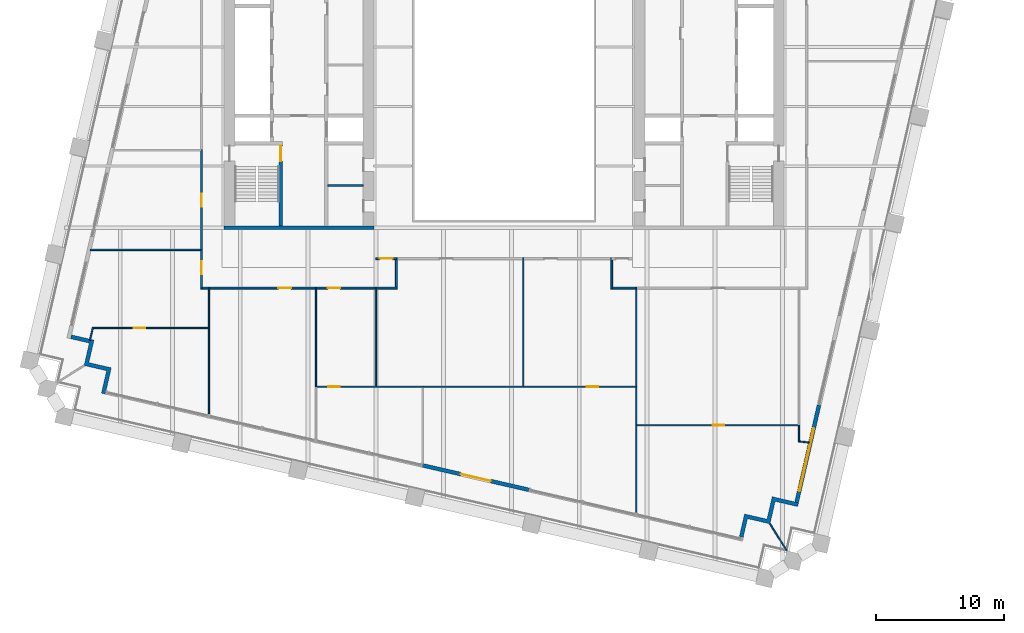
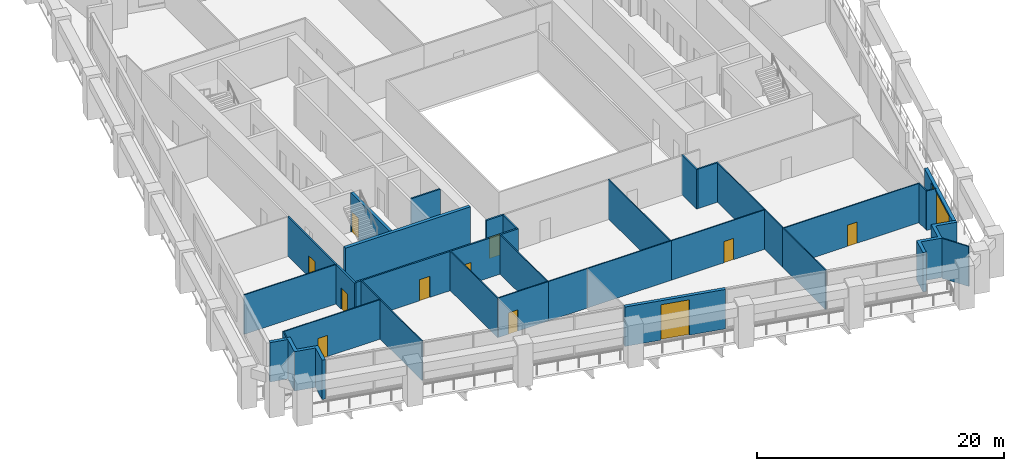
# One storey, part 6 of 12: 36 walls, 11 doors, 1 window, 12 openings.
"""IFC4 building model written with IfcOpenShell, lengths in metres."""

from ifc_helpers import new_model, si_unit, direction, frame, frame_2d, origin, place, context, subcontext, project, spatial, polyline, rectangle, outline, extrude, material, layer, layer_set, type_object, element, fill, save


model = new_model("IFC4")

# Units and contexts
model_context = context("Model", 3, precision=1e-05, world=origin(), true_north=direction((0.0, 1.0)))
body_context = subcontext(model_context, "Body", "Model", "MODEL_VIEW")
ifc_project = project(units=[si_unit("LENGTHUNIT", "METRE"), si_unit("AREAUNIT", "SQUARE_METRE"), si_unit("VOLUMEUNIT", "CUBIC_METRE"), si_unit("PLANEANGLEUNIT", "RADIAN"), si_unit("MASSUNIT", "GRAM", prefix="KILO")], contexts=[model_context])

# Site, building, storey
site_placement = place(None, origin())
site = spatial("IfcSite", under=ifc_project, at=site_placement, CompositionType="ELEMENT")
building_placement = place(site_placement, origin())
building = spatial("IfcBuilding", under=site, at=building_placement, Name="Ogive Exchange Tower", CompositionType="ELEMENT")
storey_placement = place(building_placement, frame((0.0, 0.0, 156.0)))
storey = spatial("IfcBuildingStorey", under=building, at=storey_placement, Name="L34", CompositionType="ELEMENT", Elevation=156.0)

# Wall
ifc_material_1 = material(Name="Gypsum board partition")
ifc_layer_1 = layer(ifc_material_1, 0.14990234375)
ifc_layer_set_1 = layer_set([ifc_layer_1], Name="Core room partition 150 gypsum")
wall_type_1 = type_object("IfcWallType", Name="Core room partition 150 gypsum", PredefinedType="PARTITIONING", material=ifc_layer_set_1)
wall_1_placement = place(storey_placement, frame((-13.75, 0.699951171875, 0.0), z_axis=(0.0, 0.0, 1.0), x_axis=(1.0, 0.0, 0.0)))
element("IfcWall", 1, at=wall_1_placement, inside=storey, type_object=wall_type_1, Name="W south room partition", PredefinedType="PARTITIONING", context=body_context, shape_type="SweptSolid", body=[
    extrude(rectangle(XDim=2.75, YDim=0.14990234375, at=frame_2d((1.375, 0.0))), origin(), (0.0, 0.0, 1.0), 3.89990234375),
])

# Wall, opening, door
ifc_material_2 = material(Name="Fire partition EI 60 150")
ifc_layer_2 = layer(ifc_material_2, 0.14990234375)
ifc_layer_set_2 = layer_set([ifc_layer_2], Name="Fire partition EI 60 150")
wall_type_2 = type_object("IfcWallType", Name="Fire partition EI 60 150", PredefinedType="PARTITIONING", material=ifc_layer_set_2)
wall_2_placement = place(storey_placement, frame((-23.60009765625, -7.375, 0.0), z_axis=(0.0, 0.0, 1.0), x_axis=(0.0, 1.0, 0.0)))
wall_2 = element("IfcWall", 2, at=wall_2_placement, inside=storey, type_object=wall_type_2, Name="L34-PWL-003", PredefinedType="PARTITIONING", context=body_context, shape_type="SweptSolid", body=[
    extrude(rectangle(XDim=3.054931640625, YDim=0.14990234375, at=frame_2d((1.52734375, 0.0))), origin(), (0.0, 0.0, 1.0), 3.89990234375),
])
opening_1_placement = place(wall_2_placement, frame((1.155029296875, 0.0, 0.0)))
opening_1 = element("IfcOpeningElement", 3, at=opening_1_placement, cuts=wall_2, Name="Opening L34-I19", PredefinedType="OPENING", context=body_context, shape_type="SweptSolid", body=[
    extrude(rectangle(XDim=1.0, YDim=2.10009765625, at=frame_2d((0.5, 1.050048828125))), frame((0.0, 0.0849609375, 0.0), z_axis=(0.0, -1.0, 0.0), x_axis=(1.0, 0.0, 0.0)), (0.0, 0.0, 1.0), 0.169921875),
])
ifc_material_3 = material(Name="Fire door FD 30S 1000 x 2100")
door_type_1 = type_object("IfcDoorType", Name="Fire door FD 30S 1000 x 2100", OperationType="NOTDEFINED", PredefinedType="DOOR", material=ifc_material_3)
door_1_placement = place(opening_1_placement, origin())
door_1 = element("IfcDoor", 4, at=door_1_placement, inside=storey, type_object=door_type_1, Name="L34-IDR-019", ObjectType="DT3", OperationType="SINGLE_SWING_LEFT", OverallHeight=2.10009765625, OverallWidth=1.0, PredefinedType="DOOR", context=body_context, shape_type="SweptSolid", body=[
    extrude(rectangle(XDim=1.0, YDim=2.10009765625, at=frame_2d((0.5, 1.050048828125))), frame((0.0, 0.02490234375, 0.0), z_axis=(0.0, -1.0, 0.0), x_axis=(1.0, 0.0, 0.0)), (0.0, 0.0, 1.0), 0.050048828125),
])
fill(opening_1, door_1)

wall_3_placement = place(storey_placement, frame((-23.60009765625, -4.320068359375, 0.0), z_axis=(0.0, 0.0, 1.0), x_axis=(0.0, 1.0, 0.0)))
wall_3 = element("IfcWall", 5, at=wall_3_placement, inside=storey, type_object=wall_type_2, Name="L34-PWL-005", PredefinedType="PARTITIONING", context=body_context, shape_type="SweptSolid", body=[
    extrude(rectangle(XDim=7.820068359375, YDim=0.14990234375, at=frame_2d((3.91015625, 0.0))), origin(), (0.0, 0.0, 1.0), 3.89990234375),
])
opening_2_placement = place(wall_3_placement, frame((3.3701171875, 0.0, 0.0)))
opening_2 = element("IfcOpeningElement", 6, at=opening_2_placement, cuts=wall_3, Name="Opening L34-I18", PredefinedType="OPENING", context=body_context, shape_type="SweptSolid", body=[
    extrude(rectangle(XDim=1.0, YDim=2.10009765625, at=frame_2d((0.5, 1.050048828125))), frame((0.0, 0.0849609375, 0.0), z_axis=(0.0, -1.0, 0.0), x_axis=(1.0, 0.0, 0.0)), (0.0, 0.0, 1.0), 0.169921875),
])
door_2_placement = place(opening_2_placement, origin())
door_2 = element("IfcDoor", 7, at=door_2_placement, inside=storey, type_object=door_type_1, Name="L34-IDR-018", ObjectType="DT3", OperationType="SINGLE_SWING_RIGHT", OverallHeight=2.10009765625, OverallWidth=1.0, PredefinedType="DOOR", context=body_context, shape_type="SweptSolid", body=[
    extrude(rectangle(XDim=1.0, YDim=2.10009765625, at=frame_2d((0.5, 1.050048828125))), frame((0.0, 0.02490234375, 0.0), z_axis=(0.0, -1.0, 0.0), x_axis=(1.0, 0.0, 0.0)), (0.0, 0.0, 1.0), 0.050048828125),
])
fill(opening_2, door_2)

# Wall
wall_4_placement = place(storey_placement, frame((-23.06005859375, -7.300048828125, 0.0), z_axis=(0.0, 0.0, 1.0), x_axis=(-1.0, 0.0, 0.0)))
element("IfcWall", 8, at=wall_4_placement, inside=storey, type_object=wall_type_2, Name="L34-PWL-015", PredefinedType="PARTITIONING", context=body_context, shape_type="SweptSolid", body=[
    extrude(rectangle(XDim=0.46484375, YDim=0.14990234375, at=frame_2d((0.232421875, 0.0))), origin(), (0.0, 0.0, 1.0), 3.89990234375),
])

# Wall, opening, door
wall_5_placement = place(storey_placement, frame((-14.719970703125, -7.300048828125, 0.0), z_axis=(0.0, 0.0, 1.0), x_axis=(-1.0, 0.0, 0.0)))
wall_5 = element("IfcWall", 9, at=wall_5_placement, inside=storey, type_object=wall_type_2, Name="L34-PWL-019", PredefinedType="PARTITIONING", context=body_context, shape_type="SweptSolid", body=[
    extrude(rectangle(XDim=8.239990234375, YDim=0.14990234375, at=frame_2d((4.1201171875, 0.0))), origin(), (0.0, 0.0, 1.0), 3.89990234375),
])
opening_3_placement = place(wall_5_placement, frame((1.889892578125, 0.0, 0.0)))
opening_3 = element("IfcOpeningElement", 10, at=opening_3_placement, cuts=wall_5, Name="Opening L34-I14", PredefinedType="OPENING", context=body_context, shape_type="SweptSolid", body=[
    extrude(rectangle(XDim=1.0, YDim=2.10009765625, at=frame_2d((0.5, 1.050048828125))), frame((0.0, 0.0849609375, 0.0), z_axis=(0.0, -1.0, 0.0), x_axis=(1.0, 0.0, 0.0)), (0.0, 0.0, 1.0), 0.169921875),
])
door_3_placement = place(opening_3_placement, origin())
door_3 = element("IfcDoor", 11, at=door_3_placement, inside=storey, type_object=door_type_1, Name="L34-IDR-014", ObjectType="DT3", OperationType="SINGLE_SWING_RIGHT", OverallHeight=2.10009765625, OverallWidth=1.0, PredefinedType="DOOR", context=body_context, shape_type="SweptSolid", body=[
    extrude(rectangle(XDim=1.0, YDim=2.10009765625, at=frame_2d((0.5, 1.050048828125))), frame((0.0, 0.02490234375, 0.0), z_axis=(0.0, -1.0, 0.0), x_axis=(1.0, 0.0, 0.0)), (0.0, 0.0, 1.0), 0.050048828125),
])
fill(opening_3, door_3)

wall_6_placement = place(storey_placement, frame((-10.050048828125, -7.300048828125, 0.0), z_axis=(0.0, 0.0, 1.0), x_axis=(-1.0, 0.0, 0.0)))
wall_6 = element("IfcWall", 12, at=wall_6_placement, inside=storey, type_object=wall_type_2, Name="L34-PWL-024", PredefinedType="PARTITIONING", context=body_context, shape_type="SweptSolid", body=[
    extrude(rectangle(XDim=4.570068359375, YDim=0.14990234375, at=frame_2d((2.28515625, 0.0))), origin(), (0.0, 0.0, 1.0), 3.89990234375),
])
opening_4_placement = place(wall_6_placement, frame((2.719970703125, 0.0, 0.0)))
opening_4 = element("IfcOpeningElement", 13, at=opening_4_placement, cuts=wall_6, Name="Opening L34-I11", PredefinedType="OPENING", context=body_context, shape_type="SweptSolid", body=[
    extrude(rectangle(XDim=1.0, YDim=2.10009765625, at=frame_2d((0.5, 1.050048828125))), frame((0.0, 0.0849609375, 0.0), z_axis=(0.0, -1.0, 0.0), x_axis=(1.0, 0.0, 0.0)), (0.0, 0.0, 1.0), 0.169921875),
])
door_4_placement = place(opening_4_placement, origin())
door_4 = element("IfcDoor", 14, at=door_4_placement, inside=storey, type_object=door_type_1, Name="L34-IDR-011", ObjectType="DT3", OperationType="SINGLE_SWING_LEFT", OverallHeight=2.10009765625, OverallWidth=1.0, PredefinedType="DOOR", context=body_context, shape_type="SweptSolid", body=[
    extrude(rectangle(XDim=1.0, YDim=2.10009765625, at=frame_2d((0.5, 1.050048828125))), frame((0.0, 0.02490234375, 0.0), z_axis=(0.0, -1.0, 0.0), x_axis=(1.0, 0.0, 0.0)), (0.0, 0.0, 1.0), 0.050048828125),
])
fill(opening_4, door_4)

# Walls
wall_7_placement = place(storey_placement, frame((-8.324951171875, -7.300048828125, 0.0), z_axis=(0.0, 0.0, 1.0), x_axis=(-1.0, 0.0, 0.0)))
element("IfcWall", 15, at=wall_7_placement, inside=storey, type_object=wall_type_2, Name="L34-PWL-025", PredefinedType="PARTITIONING", context=body_context, shape_type="SweptSolid", body=[
    extrude(rectangle(XDim=1.625, YDim=0.14990234375, at=frame_2d((0.8125, 0.0))), origin(), (0.0, 0.0, 1.0), 3.89990234375),
])
wall_8_placement = place(storey_placement, frame((-8.39990234375, -4.925048828125, 0.0), z_axis=(0.0, 0.0, 1.0), x_axis=(0.0, -1.0, 0.0)))
element("IfcWall", 16, at=wall_8_placement, inside=storey, type_object=wall_type_2, Name="L34-PWL-026", PredefinedType="PARTITIONING", context=body_context, shape_type="SweptSolid", body=[
    extrude(rectangle(XDim=2.300048828125, YDim=0.14990234375, at=frame_2d((1.14990234375, 0.0))), origin(), (0.0, 0.0, 1.0), 3.89990234375),
])
wall_9_placement = place(storey_placement, frame((8.39990234375, -7.375, 0.0), z_axis=(0.0, 0.0, 1.0), x_axis=(0.0, 1.0, 0.0)))
element("IfcWall", 17, at=wall_9_placement, inside=storey, type_object=wall_type_2, Name="L34-PWL-036", PredefinedType="PARTITIONING", context=body_context, shape_type="SweptSolid", body=[
    extrude(rectangle(XDim=2.449951171875, YDim=0.14990234375, at=frame_2d((1.22509765625, 0.0))), origin(), (0.0, 0.0, 1.0), 3.89990234375),
])
wall_10_placement = place(storey_placement, frame((10.27001953125, -7.300048828125, 0.0), z_axis=(0.0, 0.0, 1.0), x_axis=(-1.0, 0.0, 0.0)))
element("IfcWall", 18, at=wall_10_placement, inside=storey, type_object=wall_type_2, Name="L34-PWL-043", PredefinedType="PARTITIONING", context=body_context, shape_type="SweptSolid", body=[
    extrude(rectangle(XDim=1.794921875, YDim=0.14990234375, at=frame_2d((0.8974609375, 0.0))), origin(), (0.0, 0.0, 1.0), 3.89990234375),
])

# Wall, opening, door
wall_11_placement = place(storey_placement, frame((-8.39990234375, -5.0, 0.0), z_axis=(0.0, 0.0, 1.0), x_axis=(-1.0, 0.0, 0.0)))
wall_11 = element("IfcWall", 19, at=wall_11_placement, inside=storey, type_object=wall_type_2, Name="L34-PWL-060", PredefinedType="PARTITIONING", context=body_context, shape_type="SweptSolid", body=[
    extrude(rectangle(XDim=1.60009765625, YDim=0.14990234375, at=frame_2d((0.800048828125, 0.0))), origin(), (0.0, 0.0, 1.0), 3.89990234375),
])
opening_5_placement = place(wall_11_placement, frame((0.300048828125, 0.0, 0.0)))
opening_5 = element("IfcOpeningElement", 20, at=opening_5_placement, cuts=wall_11, Name="Opening L34-I22", PredefinedType="OPENING", context=body_context, shape_type="SweptSolid", body=[
    extrude(rectangle(XDim=1.0, YDim=2.10009765625, at=frame_2d((0.5, 1.050048828125))), frame((0.0, 0.0849609375, 0.0), z_axis=(0.0, -1.0, 0.0), x_axis=(1.0, 0.0, 0.0)), (0.0, 0.0, 1.0), 0.169921875),
])
door_5_placement = place(opening_5_placement, origin())
door_5 = element("IfcDoor", 21, at=door_5_placement, inside=storey, type_object=door_type_1, Name="L34-IDR-022", ObjectType="DT3", OperationType="SINGLE_SWING_RIGHT", OverallHeight=2.10009765625, OverallWidth=1.0, PredefinedType="DOOR", context=body_context, shape_type="SweptSolid", body=[
    extrude(rectangle(XDim=1.0, YDim=2.10009765625, at=frame_2d((0.5, 1.050048828125))), frame((0.0, 0.02490234375, 0.0), z_axis=(0.0, -1.0, 0.0), x_axis=(1.0, 0.0, 0.0)), (0.0, 0.0, 1.0), 0.050048828125),
])
fill(opening_5, door_5)

ifc_material_4 = material(Name="Precast concrete C40/50", Category="concrete")
ifc_layer_3 = layer(ifc_material_4, 0.300048828125)
ifc_layer_set_3 = layer_set([ifc_layer_3], Name="Limestone-faced wall 300")
wall_type_3 = type_object("IfcWallType", Name="Limestone-faced wall 300", PredefinedType="STANDARD", material=ifc_layer_set_3)
wall_12_placement = place(storey_placement, frame((-6.37744140625, -21.123291015625, 0.0), z_axis=(0.0, 0.0, 1.0), x_axis=(0.974370979495, -0.224947092265, 0.0)))
wall_12 = element("IfcWall", 22, at=wall_12_placement, inside=storey, type_object=wall_type_3, Name="External wall S1", PredefinedType="STANDARD", context=body_context, shape_type="SweptSolid", body=[
    extrude(rectangle(XDim=8.55029296875, YDim=0.300048828125, at=frame_2d((4.275146484375, 0.0))), origin(), (0.0, 0.0, 1.0), 3.89990234375),
])
opening_6_placement = place(wall_12_placement, frame((3.074951171875, 0.0, 0.0)))
opening_6 = element("IfcOpeningElement", 23, at=opening_6_placement, cuts=wall_12, Name="Opening D1", PredefinedType="OPENING", context=body_context, shape_type="SweptSolid", body=[
    extrude(rectangle(XDim=2.39990234375, YDim=3.5, at=frame_2d((1.199951171875, 1.75))), frame((0.0, 0.159912109375, 0.0), z_axis=(0.0, -1.0, 0.0), x_axis=(1.0, 0.0, 0.0)), (0.0, 0.0, 1.0), 0.320068359375),
])
ifc_material_5 = material(Name="Clear glass in bronze frame", Category="glass")
door_type_2 = type_object("IfcDoorType", Name="Sliding loggia door 2400 x 3500", OperationType="DOUBLE_DOOR_SLIDING", PredefinedType="DOOR", material=ifc_material_5)
door_6_placement = place(opening_6_placement, origin())
door_6 = element("IfcDoor", 24, at=door_6_placement, inside=storey, type_object=door_type_2, Name="Loggia door S03", OperationType="DOUBLE_DOOR_SLIDING", OverallHeight=3.5, OverallWidth=2.39990234375, PredefinedType="DOOR", context=body_context, shape_type="SweptSolid", body=[
    extrude(rectangle(XDim=2.39990234375, YDim=3.5, at=frame_2d((1.199951171875, 1.75))), frame((0.0, 0.02490234375, 0.0), z_axis=(0.0, -1.0, 0.0), x_axis=(1.0, 0.0, 0.0)), (0.0, 0.0, 1.0), 0.050048828125),
])
fill(opening_6, door_6)

# Wall, opening, window
wall_13_placement = place(storey_placement, frame((22.8203125, -24.015625, 0.0), z_axis=(0.0, 0.0, 1.0), x_axis=(0.224962751334, 0.974367364248, 0.0)))
wall_13 = element("IfcWall", 25, at=wall_13_placement, inside=storey, type_object=wall_type_3, Name="External wall E2", PredefinedType="STANDARD", context=body_context, shape_type="SweptSolid", body=[
    extrude(rectangle(XDim=7.771484375, YDim=0.300048828125, at=frame_2d((3.8857421875, 0.0))), origin(), (0.0, 0.0, 1.0), 3.89990234375),
])
opening_7_placement = place(wall_13_placement, frame((0.906982421875, 0.0, 0.449951171875)))
opening_7 = element("IfcOpeningElement", 26, at=opening_7_placement, cuts=wall_13, Name="Opening W2", PredefinedType="OPENING", context=body_context, shape_type="SweptSolid", body=[
    extrude(rectangle(XDim=5.0, YDim=3.25, at=frame_2d((2.5, 1.625))), frame((0.0, 0.159912109375, 0.0), z_axis=(0.0, -1.0, 0.0), x_axis=(1.0, 0.0, 0.0)), (0.0, 0.0, 1.0), 0.320068359375),
])
window_type = type_object("IfcWindowType", Name="Executive lancet window 5000 x 3250", PartitioningType="DOUBLE_PANEL_VERTICAL", PredefinedType="WINDOW", material=ifc_material_5)
window_placement = place(opening_7_placement, origin())
window = element("IfcWindow", 27, at=window_placement, inside=storey, type_object=window_type, Name="Window E00", OverallHeight=3.25, OverallWidth=5.0, PartitioningType="DOUBLE_PANEL_VERTICAL", PredefinedType="WINDOW", context=body_context, shape_type="SweptSolid", body=[
    extrude(rectangle(XDim=5.0, YDim=3.25, at=frame_2d((2.5, 1.625))), frame((0.0, 0.030029296875, 0.0), z_axis=(0.0, -1.0, 0.0), x_axis=(1.0, 0.0, 0.0)), (0.0, 0.0, 1.0), 0.06005859375),
])
fill(opening_7, window)

# Walls
wall_14_placement = place(storey_placement, origin())
element("IfcWall", 28, at=wall_14_placement, inside=storey, type_object=wall_type_3, Name="External corner wall C1", PredefinedType="STANDARD", context=body_context, shape_type="SweptSolid", body=[
    extrude(outline(polyline([(20.515380859375, -25.330810546875), (20.92041015625, -23.576904296875), (22.966552734375, -24.04931640625), (22.89892578125, -24.341552734375), (21.145263671875, -23.936767578125), (20.740234375, -25.690673828125), (18.986328125, -25.28564453125), (18.64892578125, -26.747314453125), (18.356689453125, -26.6796875), (18.76171875, -24.92578125), (20.515380859375, -25.330810546875)])), origin(), (0.0, 0.0, 1.0), 3.89990234375),
])
wall_15_placement = place(storey_placement, origin())
element("IfcWall", 29, at=wall_15_placement, inside=storey, type_object=wall_type_3, Name="External corner wall C4", PredefinedType="STANDARD", context=body_context, shape_type="SweptSolid", body=[
    extrude(outline(polyline([(-32.392822265625, -13.115966796875), (-30.638916015625, -13.52099609375), (-31.111328125, -15.56689453125), (-31.40380859375, -15.49951171875), (-30.998779296875, -13.74560546875), (-32.752685546875, -13.3408203125), (-32.34765625, -11.5869140625), (-33.809326171875, -11.24951171875), (-33.74169921875, -10.957275390625), (-31.98779296875, -11.362060546875), (-32.392822265625, -13.115966796875)])), origin(), (0.0, 0.0, 1.0), 3.89990234375),
])
ifc_material_6 = material(Name="Laminated safety glass in steel frame", Category="steel")
ifc_layer_4 = layer(ifc_material_6, 0.10009765625)
ifc_layer_set_4 = layer_set([ifc_layer_4], Name="Loggia end screen 100")
wall_type_4 = type_object("IfcWallType", Name="Loggia end screen 100", PredefinedType="STANDARD", material=ifc_layer_set_4)
wall_16_placement = place(storey_placement, frame((20.740234375, -25.690673828125, -0.050048828125), z_axis=(0.0, 0.0, 1.0), x_axis=(0.529972121605, -0.848015064914, 0.0)))
element("IfcWall", 30, at=wall_16_placement, inside=storey, type_object=wall_type_4, Name="Loggia end screen C1", PredefinedType="STANDARD", context=body_context, shape_type="SweptSolid", body=[
    extrude(rectangle(XDim=2.454833984375, YDim=0.10009765625, at=frame_2d((1.2275390625, 0.0))), origin(), (0.0, 0.0, 1.0), 3.949951171875),
])
ifc_material_7 = material(Name="Partition 100 gypsum")
ifc_layer_5 = layer(ifc_material_7, 0.10009765625)
ifc_layer_set_5 = layer_set([ifc_layer_5], Name="Partition 100 gypsum")
wall_type_5 = type_object("IfcWallType", Name="Partition 100 gypsum", PredefinedType="PARTITIONING", material=ifc_layer_set_5)
wall_17_placement = place(storey_placement, frame((-32.069091796875, -10.361083984375, 0.0), z_axis=(0.0, 0.0, 1.0), x_axis=(-0.222987762652, -0.974821243976, 0.0)))
element("IfcWall", 31, at=wall_17_placement, inside=storey, type_object=wall_type_5, Name="L34-PWL-001", PredefinedType="PARTITIONING", context=body_context, shape_type="SweptSolid", body=[
    extrude(rectangle(XDim=1.0576171875, YDim=0.10009765625, at=frame_2d((0.52880859375, 0.0))), origin(), (0.0, 0.0, 1.0), 3.89990234375),
])
wall_18_placement = place(storey_placement, frame((-23.675048828125, -4.320068359375, 0.0), z_axis=(0.0, 0.0, 1.0), x_axis=(-1.0, 0.0, 0.0)))
element("IfcWall", 32, at=wall_18_placement, inside=storey, type_object=wall_type_5, Name="L34-PWL-004", PredefinedType="PARTITIONING", context=body_context, shape_type="SweptSolid", body=[
    extrude(rectangle(XDim=8.616943359375, YDim=0.10009765625, at=frame_2d((4.30859375, 0.0))), origin(), (0.0, 0.0, 1.0), 3.89990234375),
])
wall_19_placement = place(storey_placement, frame((-23.010009765625, -17.2119140625, 0.0), z_axis=(0.0, 0.0, 1.0), x_axis=(0.0, 1.0, 0.0)))
element("IfcWall", 33, at=wall_19_placement, inside=storey, type_object=wall_type_5, Name="L34-PWL-012", PredefinedType="PARTITIONING", context=body_context, shape_type="SweptSolid", body=[
    extrude(rectangle(XDim=6.851806640625, YDim=0.10009765625, at=frame_2d((3.42578125, 0.0))), origin(), (0.0, 0.0, 1.0), 3.89990234375),
])

# Wall, opening, door
wall_20_placement = place(storey_placement, frame((-23.06005859375, -10.409912109375, 0.0), z_axis=(0.0, 0.0, 1.0), x_axis=(-1.0, 0.0, 0.0)))
wall_20 = element("IfcWall", 34, at=wall_20_placement, inside=storey, type_object=wall_type_5, Name="L34-PWL-013", PredefinedType="PARTITIONING", context=body_context, shape_type="SweptSolid", body=[
    extrude(rectangle(XDim=8.969970703125, YDim=0.10009765625, at=frame_2d((4.48486328125, 0.0))), origin(), (0.0, 0.0, 1.0), 3.89990234375),
])
opening_8_placement = place(wall_20_placement, frame((4.919921875, 0.0, 0.0)))
opening_8 = element("IfcOpeningElement", 35, at=opening_8_placement, cuts=wall_20, Name="Opening L34-I20", PredefinedType="OPENING", context=body_context, shape_type="SweptSolid", body=[
    extrude(rectangle(XDim=0.89990234375, YDim=2.10009765625, at=frame_2d((0.449951171875, 1.050048828125))), frame((0.0, 0.06005859375, 0.0), z_axis=(0.0, -1.0, 0.0), x_axis=(1.0, 0.0, 0.0)), (0.0, 0.0, 1.0), 0.1201171875),
])
ifc_material_8 = material(Name="Door 900 x 2100")
door_type_3 = type_object("IfcDoorType", Name="Door 900 x 2100", OperationType="NOTDEFINED", PredefinedType="DOOR", material=ifc_material_8)
door_7_placement = place(opening_8_placement, origin())
door_7 = element("IfcDoor", 36, at=door_7_placement, inside=storey, type_object=door_type_3, Name="L34-IDR-020", ObjectType="DT1", OperationType="SINGLE_SWING_LEFT", OverallHeight=2.10009765625, OverallWidth=0.89990234375, PredefinedType="DOOR", context=body_context, shape_type="SweptSolid", body=[
    extrude(rectangle(XDim=0.89990234375, YDim=2.10009765625, at=frame_2d((0.449951171875, 1.050048828125))), frame((0.0, 0.02490234375, 0.0), z_axis=(0.0, -1.0, 0.0), x_axis=(1.0, 0.0, 0.0)), (0.0, 0.0, 1.0), 0.050048828125),
])
fill(opening_8, door_7)

# Walls
wall_21_placement = place(storey_placement, frame((-23.010009765625, -10.360107421875, 0.0), z_axis=(0.0, 0.0, 1.0), x_axis=(0.0, 1.0, 0.0)))
element("IfcWall", 37, at=wall_21_placement, inside=storey, type_object=wall_type_5, Name="L34-PWL-014", PredefinedType="PARTITIONING", context=body_context, shape_type="SweptSolid", body=[
    extrude(rectangle(XDim=3.135009765625, YDim=0.10009765625, at=frame_2d((1.5673828125, 0.0))), origin(), (0.0, 0.0, 1.0), 3.89990234375),
])
wall_22_placement = place(storey_placement, frame((-14.669921875, -15.050048828125, 0.0), z_axis=(0.0, 0.0, 1.0), x_axis=(0.0, 1.0, 0.0)))
element("IfcWall", 38, at=wall_22_placement, inside=storey, type_object=wall_type_5, Name="L34-PWL-017", PredefinedType="PARTITIONING", context=body_context, shape_type="SweptSolid", body=[
    extrude(rectangle(XDim=7.824951171875, YDim=0.10009765625, at=frame_2d((3.91259765625, 0.0))), origin(), (0.0, 0.0, 1.0), 3.89990234375),
])

# Wall, opening, door
wall_23_placement = place(storey_placement, frame((-14.6201171875, -15.0, 0.0), z_axis=(0.0, 0.0, 1.0), x_axis=(1.0, 0.0, 0.0)))
wall_23 = element("IfcWall", 39, at=wall_23_placement, inside=storey, type_object=wall_type_5, Name="L34-PWL-018", PredefinedType="PARTITIONING", context=body_context, shape_type="SweptSolid", body=[
    extrude(rectangle(XDim=4.670166015625, YDim=0.10009765625, at=frame_2d((2.3349609375, 0.0))), origin(), (0.0, 0.0, 1.0), 3.89990234375),
])
opening_9_placement = place(wall_23_placement, frame((0.89990234375, 0.0, 0.0)))
opening_9 = element("IfcOpeningElement", 40, at=opening_9_placement, cuts=wall_23, Name="Opening L34-I07", PredefinedType="OPENING", context=body_context, shape_type="SweptSolid", body=[
    extrude(rectangle(XDim=0.89990234375, YDim=2.10009765625, at=frame_2d((0.449951171875, 1.050048828125))), frame((0.0, 0.06005859375, 0.0), z_axis=(0.0, -1.0, 0.0), x_axis=(1.0, 0.0, 0.0)), (0.0, 0.0, 1.0), 0.1201171875),
])
door_8_placement = place(opening_9_placement, origin())
door_8 = element("IfcDoor", 41, at=door_8_placement, inside=storey, type_object=door_type_3, Name="L34-IDR-007", ObjectType="DT1", OperationType="SINGLE_SWING_RIGHT", OverallHeight=2.10009765625, OverallWidth=0.89990234375, PredefinedType="DOOR", context=body_context, shape_type="SweptSolid", body=[
    extrude(rectangle(XDim=0.89990234375, YDim=2.10009765625, at=frame_2d((0.449951171875, 1.050048828125))), frame((0.0, 0.02490234375, 0.0), z_axis=(0.0, -1.0, 0.0), x_axis=(1.0, 0.0, 0.0)), (0.0, 0.0, 1.0), 0.050048828125),
])
fill(opening_9, door_8)

# Walls
wall_24_placement = place(storey_placement, frame((-10.0, -14.949951171875, 0.0), z_axis=(0.0, 0.0, 1.0), x_axis=(0.0, 1.0, 0.0)))
element("IfcWall", 42, at=wall_24_placement, inside=storey, type_object=wall_type_5, Name="L34-PWL-022", PredefinedType="PARTITIONING", context=body_context, shape_type="SweptSolid", body=[
    extrude(rectangle(XDim=7.724853515625, YDim=0.10009765625, at=frame_2d((3.8623046875, 0.0))), origin(), (0.0, 0.0, 1.0), 3.89990234375),
])
wall_25_placement = place(storey_placement, frame((-9.949951171875, -15.0, 0.0), z_axis=(0.0, 0.0, 1.0), x_axis=(1.0, 0.0, 0.0)))
element("IfcWall", 43, at=wall_25_placement, inside=storey, type_object=wall_type_5, Name="L34-PWL-023", PredefinedType="PARTITIONING", context=body_context, shape_type="SweptSolid", body=[
    extrude(rectangle(XDim=3.659912109375, YDim=0.10009765625, at=frame_2d((1.830078125, 0.0))), origin(), (0.0, 0.0, 1.0), 3.89990234375),
])
wall_26_placement = place(storey_placement, frame((-6.340087890625, -15.0, 0.0), z_axis=(0.0, 0.0, 1.0), x_axis=(1.0, 0.0, 0.0)))
element("IfcWall", 44, at=wall_26_placement, inside=storey, type_object=wall_type_5, Name="L34-PWL-030", PredefinedType="PARTITIONING", context=body_context, shape_type="SweptSolid", body=[
    extrude(rectangle(XDim=7.89013671875, YDim=0.10009765625, at=frame_2d((3.945068359375, 0.0))), origin(), (0.0, 0.0, 1.0), 3.89990234375),
])
wall_27_placement = place(storey_placement, frame((1.5, -14.949951171875, 0.0), z_axis=(0.0, 0.0, 1.0), x_axis=(0.0, 1.0, 0.0)))
element("IfcWall", 45, at=wall_27_placement, inside=storey, type_object=wall_type_5, Name="L34-PWL-033", PredefinedType="PARTITIONING", context=body_context, shape_type="SweptSolid", body=[
    extrude(rectangle(XDim=10.02490234375, YDim=0.10009765625, at=frame_2d((5.012451171875, 0.0))), origin(), (0.0, 0.0, 1.0), 3.89990234375),
])

# Wall, opening, door
wall_28_placement = place(storey_placement, frame((1.5, -15.0, 0.0), z_axis=(0.0, 0.0, 1.0), x_axis=(1.0, 0.0, 0.0)))
wall_28 = element("IfcWall", 46, at=wall_28_placement, inside=storey, type_object=wall_type_5, Name="L34-PWL-034", PredefinedType="PARTITIONING", context=body_context, shape_type="SweptSolid", body=[
    extrude(rectangle(XDim=8.8701171875, YDim=0.10009765625, at=frame_2d((4.43505859375, 0.0))), origin(), (0.0, 0.0, 1.0), 3.89990234375),
])
opening_10_placement = place(wall_28_placement, frame((4.949951171875, 0.0, 0.0)))
opening_10 = element("IfcOpeningElement", 47, at=opening_10_placement, cuts=wall_28, Name="Opening L34-I08", PredefinedType="OPENING", context=body_context, shape_type="SweptSolid", body=[
    extrude(rectangle(XDim=0.89990234375, YDim=2.10009765625, at=frame_2d((0.449951171875, 1.050048828125))), frame((0.0, 0.06005859375, 0.0), z_axis=(0.0, -1.0, 0.0), x_axis=(1.0, 0.0, 0.0)), (0.0, 0.0, 1.0), 0.1201171875),
])
door_9_placement = place(opening_10_placement, origin())
door_9 = element("IfcDoor", 48, at=door_9_placement, inside=storey, type_object=door_type_3, Name="L34-IDR-008", ObjectType="DT1", OperationType="SINGLE_SWING_LEFT", OverallHeight=2.10009765625, OverallWidth=0.89990234375, PredefinedType="DOOR", context=body_context, shape_type="SweptSolid", body=[
    extrude(rectangle(XDim=0.89990234375, YDim=2.10009765625, at=frame_2d((0.449951171875, 1.050048828125))), frame((0.0, 0.02490234375, 0.0), z_axis=(0.0, -1.0, 0.0), x_axis=(1.0, 0.0, 0.0)), (0.0, 0.0, 1.0), 0.050048828125),
])
fill(opening_10, door_9)

# Walls
wall_29_placement = place(storey_placement, frame((10.320068359375, -24.906982421875, 0.0), z_axis=(0.0, 0.0, 1.0), x_axis=(0.0, 1.0, 0.0)))
element("IfcWall", 49, at=wall_29_placement, inside=storey, type_object=wall_type_5, Name="L34-PWL-040", PredefinedType="PARTITIONING", context=body_context, shape_type="SweptSolid", body=[
    extrude(rectangle(XDim=6.95703125, YDim=0.10009765625, at=frame_2d((3.478515625, 0.0))), origin(), (0.0, 0.0, 1.0), 3.89990234375),
])
wall_30_placement = place(storey_placement, frame((10.320068359375, -17.949951171875, 0.0), z_axis=(0.0, 0.0, 1.0), x_axis=(0.0, 1.0, 0.0)))
element("IfcWall", 50, at=wall_30_placement, inside=storey, type_object=wall_type_5, Name="L34-PWL-041", PredefinedType="PARTITIONING", context=body_context, shape_type="SweptSolid", body=[
    extrude(rectangle(XDim=2.89990234375, YDim=0.10009765625, at=frame_2d((1.449951171875, 0.0))), origin(), (0.0, 0.0, 1.0), 3.89990234375),
])
wall_31_placement = place(storey_placement, frame((10.320068359375, -14.949951171875, 0.0), z_axis=(0.0, 0.0, 1.0), x_axis=(0.0, 1.0, 0.0)))
element("IfcWall", 51, at=wall_31_placement, inside=storey, type_object=wall_type_5, Name="L34-PWL-042", PredefinedType="PARTITIONING", context=body_context, shape_type="SweptSolid", body=[
    extrude(rectangle(XDim=7.724853515625, YDim=0.10009765625, at=frame_2d((3.8623046875, 0.0))), origin(), (0.0, 0.0, 1.0), 3.89990234375),
])
wall_32_placement = place(storey_placement, frame((22.9599609375, -19.25390625, 0.0), z_axis=(0.0, 0.0, 1.0), x_axis=(0.993370815498, -0.114954003487, 0.0)))
element("IfcWall", 52, at=wall_32_placement, inside=storey, type_object=wall_type_5, Name="L34-PWL-046", PredefinedType="PARTITIONING", context=body_context, shape_type="SweptSolid", body=[
    extrude(rectangle(XDim=0.870849609375, YDim=0.10009765625, at=frame_2d((0.435546875, 0.0))), origin(), (0.0, 0.0, 1.0), 3.89990234375),
])

# Wall, opening, door
wall_33_placement = place(storey_placement, frame((23.06005859375, -18.0, 0.0), z_axis=(0.0, 0.0, 1.0), x_axis=(-1.0, 0.0, 0.0)))
wall_33 = element("IfcWall", 53, at=wall_33_placement, inside=storey, type_object=wall_type_5, Name="L34-PWL-047", PredefinedType="PARTITIONING", context=body_context, shape_type="SweptSolid", body=[
    extrude(rectangle(XDim=12.68994140625, YDim=0.10009765625, at=frame_2d((6.344970703125, 0.0))), origin(), (0.0, 0.0, 1.0), 3.89990234375),
])
opening_11_placement = place(wall_33_placement, frame((5.889892578125, 0.0, 0.0)))
opening_11 = element("IfcOpeningElement", 54, at=opening_11_placement, cuts=wall_33, Name="Opening L34-I03", PredefinedType="OPENING", context=body_context, shape_type="SweptSolid", body=[
    extrude(rectangle(XDim=0.89990234375, YDim=2.10009765625, at=frame_2d((0.449951171875, 1.050048828125))), frame((0.0, 0.06005859375, 0.0), z_axis=(0.0, -1.0, 0.0), x_axis=(1.0, 0.0, 0.0)), (0.0, 0.0, 1.0), 0.1201171875),
])
door_10_placement = place(opening_11_placement, origin())
door_10 = element("IfcDoor", 55, at=door_10_placement, inside=storey, type_object=door_type_3, Name="L34-IDR-003", ObjectType="DT1", OperationType="SINGLE_SWING_LEFT", OverallHeight=2.10009765625, OverallWidth=0.89990234375, PredefinedType="DOOR", context=body_context, shape_type="SweptSolid", body=[
    extrude(rectangle(XDim=0.89990234375, YDim=2.10009765625, at=frame_2d((0.449951171875, 1.050048828125))), frame((0.0, 0.02490234375, 0.0), z_axis=(0.0, -1.0, 0.0), x_axis=(1.0, 0.0, 0.0)), (0.0, 0.0, 1.0), 0.050048828125),
])
fill(opening_11, door_10)

# Wall
wall_34_placement = place(storey_placement, frame((23.010009765625, -18.050048828125, 0.0), z_axis=(0.0, 0.0, 1.0), x_axis=(0.0, -1.0, 0.0)))
element("IfcWall", 56, at=wall_34_placement, inside=storey, type_object=wall_type_5, Name="L34-PWL-048", PredefinedType="PARTITIONING", context=body_context, shape_type="SweptSolid", body=[
    extrude(rectangle(XDim=1.159912109375, YDim=0.10009765625, at=frame_2d((0.580078125, 0.0))), origin(), (0.0, 0.0, 1.0), 3.89990234375),
])

# Wall, opening, door
ifc_material_9 = material(Name="Concrete C70/85", Category="concrete")
ifc_layer_6 = layer(ifc_material_9, 0.25)
ifc_layer_set_6 = layer_set([ifc_layer_6], Name="RC core wall 250 C70/85")
wall_type_6 = type_object("IfcWallType", Name="RC core wall 250 C70/85", PredefinedType="SHEAR", material=ifc_layer_set_6)
wall_35_placement = place(storey_placement, frame((-17.425048828125, -2.449951171875, 0.0), z_axis=(0.0, 0.0, 1.0), x_axis=(0.0, 1.0, 0.0)))
wall_35 = element("IfcWall", 57, at=wall_35_placement, inside=storey, type_object=wall_type_6, Name="W stair S front wall", PredefinedType="SHEAR", context=body_context, shape_type="SweptSolid", body=[
    extrude(rectangle(XDim=6.300048828125, YDim=0.25, at=frame_2d((3.14990234375, 0.0))), origin(), (0.0, 0.0, 1.0), 3.89990234375),
])
opening_12_placement = place(wall_35_placement, frame((5.050048828125, 0.0, 0.0)))
opening_12 = element("IfcOpeningElement", 58, at=opening_12_placement, cuts=wall_35, Name="Opening L34-C13", PredefinedType="OPENING", context=body_context, shape_type="SweptSolid", body=[
    extrude(rectangle(XDim=1.199951171875, YDim=2.10009765625, at=frame_2d((0.60009765625, 1.050048828125))), frame((0.0, 0.135009765625, 0.0), z_axis=(0.0, -1.0, 0.0), x_axis=(1.0, 0.0, 0.0)), (0.0, 0.0, 1.0), 0.27001953125),
])
ifc_material_10 = material(Name="Steel fire door", Category="steel")
door_type_4 = type_object("IfcDoorType", Name="Stair door FD90 1200 x 2100", OperationType="NOTDEFINED", PredefinedType="DOOR", material=ifc_material_10)
door_11_placement = place(opening_12_placement, origin())
door_11 = element("IfcDoor", 59, at=door_11_placement, inside=storey, type_object=door_type_4, Name="Stair door", ObjectType="CD5", OperationType="SINGLE_SWING_LEFT", OverallHeight=2.10009765625, OverallWidth=1.199951171875, PredefinedType="DOOR", context=body_context, shape_type="SweptSolid", body=[
    extrude(rectangle(XDim=1.199951171875, YDim=2.10009765625, at=frame_2d((0.60009765625, 1.050048828125))), frame((0.0, 0.02490234375, 0.0), z_axis=(0.0, -1.0, 0.0), x_axis=(1.0, 0.0, 0.0)), (0.0, 0.0, 1.0), 0.050048828125),
])
fill(opening_12, door_11)

# Wall
ifc_layer_7 = layer(ifc_material_9, 0.300048828125)
ifc_layer_set_7 = layer_set([ifc_layer_7], Name="RC core wall 300 C70/85")
wall_type_7 = type_object("IfcWallType", Name="RC core wall 300 C70/85", PredefinedType="SHEAR", material=ifc_layer_set_7)
wall_36_placement = place(storey_placement, frame((-21.85009765625, -2.60009765625, 0.0), z_axis=(0.0, 0.0, 1.0), x_axis=(1.0, 0.0, 0.0)))
element("IfcWall", 60, at=wall_36_placement, inside=storey, type_object=wall_type_7, Name="W south end wall", PredefinedType="SHEAR", context=body_context, shape_type="SweptSolid", body=[
    extrude(rectangle(XDim=11.7001953125, YDim=0.300048828125, at=frame_2d((5.85009765625, 0.0))), origin(), (0.0, 0.0, 1.0), 3.89990234375),
])

save(model, "model.ifc")
